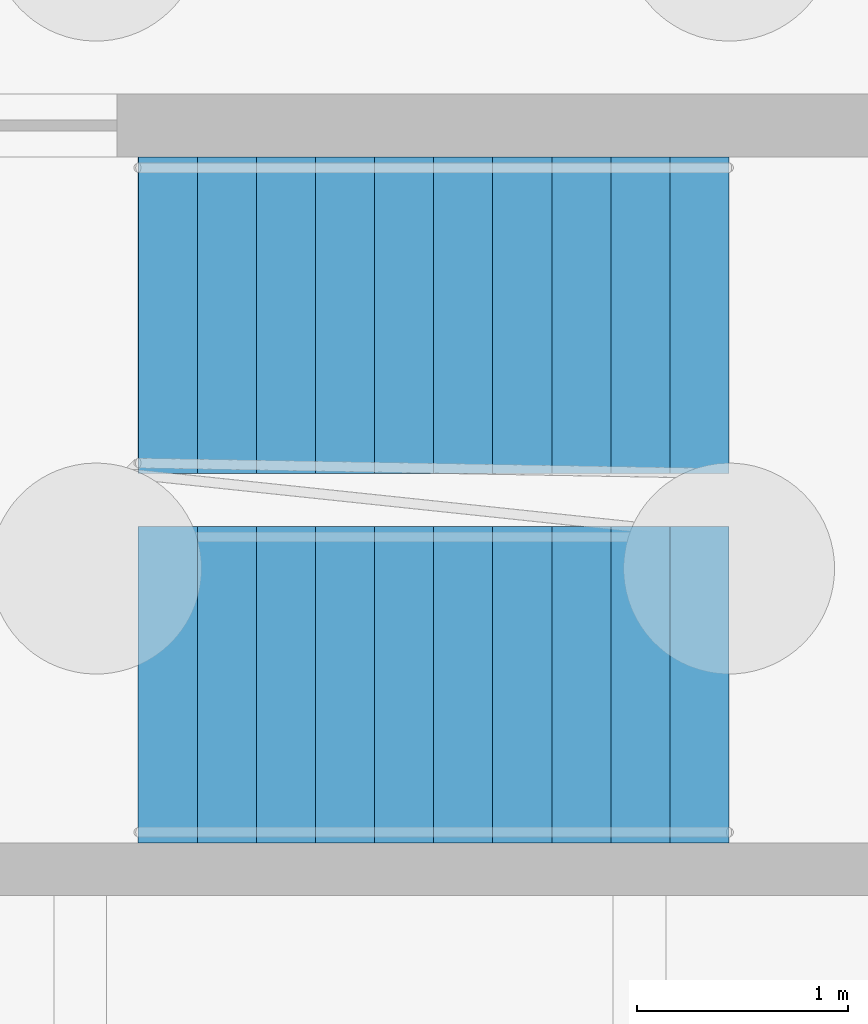
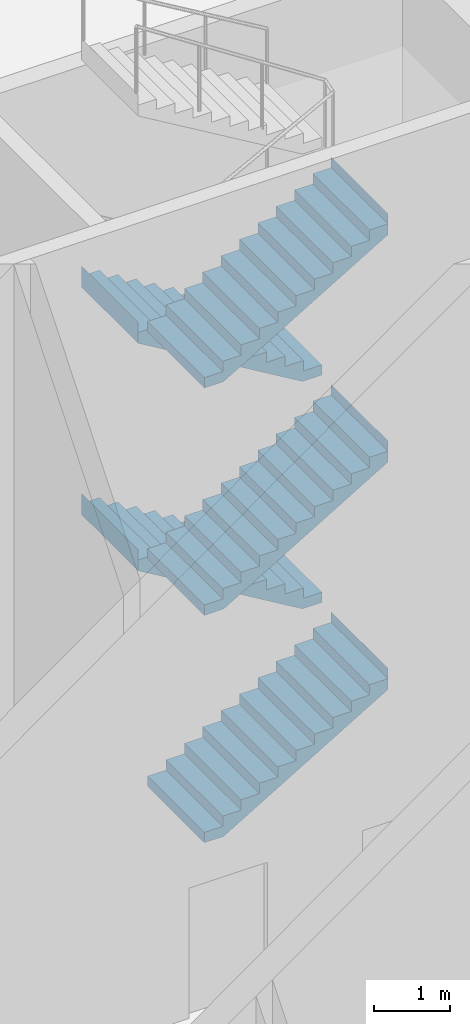
# One storey, part 19 of 26: 5 stair flights, 1 element without a shape of its own.
"""IFC4 building model written with IfcOpenShell, lengths in metres."""

from ifc_helpers import new_model, si_unit, direction, frame, origin, place, context, subcontext, project, spatial, faceted_brep, material, type_object, element, aggregate, save


model = new_model("IFC4")

# Units and contexts
model_context = context("Model", 3, precision=1e-05, world=origin(), true_north=direction((0.0, 1.0)))
body_context = subcontext(model_context, "Body", "Model", "MODEL_VIEW")
ifc_project = project(units=[si_unit("LENGTHUNIT", "METRE"), si_unit("AREAUNIT", "SQUARE_METRE"), si_unit("VOLUMEUNIT", "CUBIC_METRE"), si_unit("PLANEANGLEUNIT", "RADIAN"), si_unit("MASSUNIT", "GRAM", prefix="KILO")], contexts=[model_context])

# Site, building, storey
site_placement = place(None, origin())
site = spatial("IfcSite", under=ifc_project, at=site_placement, CompositionType="ELEMENT")
building_placement = place(site_placement, origin())
building = spatial("IfcBuilding", under=site, at=building_placement, Name="Kajstack Hotel Tower", CompositionType="ELEMENT")
storey_placement = place(building_placement, origin())
storey = spatial("IfcBuildingStorey", under=building, at=storey_placement, Name="L00", CompositionType="ELEMENT", Elevation=0.0)

# Stair, stair flights
ifc_material = material(Name="Concrete C40/50", Category="concrete")
stair_type = type_object("IfcStairType", Name="Exit stair 1500", PredefinedType="HALF_TURN_STAIR", material=ifc_material)
stair_placement = place(storey_placement, origin())
stair = element("IfcStair", 1, at=stair_placement, inside=storey, type_object=stair_type, Name="L00 stair E3", PredefinedType="HALF_TURN_STAIR")
stair_flight_type = type_object("IfcStairFlightType", Name="Exit stair flight 1500", PredefinedType="STRAIGHT", material=ifc_material)
stair_flight_1_placement = place(storey_placement, frame((25.699951171875, 12.699951171875, 0.0), z_axis=(0.0, 0.0, 1.0), x_axis=(1.0, 0.0, 0.0)))
stair_flight_1 = element("IfcStairFlight", 2, at=stair_flight_1_placement, type_object=stair_flight_type, Name="E3 flight 1", NumberOfRisers=11, NumberOfTreads=10, PredefinedType="STRAIGHT", RiserHeight=0.166666667, TreadLength=0.28, context=body_context, shape_type="Brep", body=[
    faceted_brep([(0.29345703125, -0.75, 0.0), (2.800537109375, -0.75, 1.4921875), (2.800537109375, -0.75, 1.833251953125), (2.800048828125, -0.75, 1.833251953125), (2.800048828125, -0.75, 1.666748046875), (2.52001953125, -0.75, 1.666748046875), (2.52001953125, -0.75, 1.5), (2.239990234375, -0.75, 1.5), (2.239990234375, -0.75, 1.333251953125), (1.9599609375, -0.75, 1.333251953125), (1.9599609375, -0.75, 1.166748046875), (1.679931640625, -0.75, 1.166748046875), (1.679931640625, -0.75, 1.0), (1.39990234375, -0.75, 1.0), (1.39990234375, -0.75, 0.833251953125), (1.1201171875, -0.75, 0.833251953125), (1.1201171875, -0.75, 0.666748046875), (0.840087890625, -0.75, 0.666748046875), (0.840087890625, -0.75, 0.5), (0.56005859375, -0.75, 0.5), (0.56005859375, -0.75, 0.333251953125), (0.280029296875, -0.75, 0.333251953125), (0.280029296875, -0.75, 0.166748046875), (-0.00048828125, -0.75, 0.166748046875), (-0.00048828125, -0.75, 0.0), (-0.00048828125, 0.75, 0.0), (-0.00048828125, 0.75, 0.166748046875), (0.280029296875, 0.75, 0.166748046875), (0.280029296875, 0.75, 0.333251953125), (0.56005859375, 0.75, 0.333251953125), (0.56005859375, 0.75, 0.5), (0.840087890625, 0.75, 0.5), (0.840087890625, 0.75, 0.666748046875), (1.1201171875, 0.75, 0.666748046875), (1.1201171875, 0.75, 0.833251953125), (1.39990234375, 0.75, 0.833251953125), (1.39990234375, 0.75, 1.0), (1.679931640625, 0.75, 1.0), (1.679931640625, 0.75, 1.166748046875), (1.9599609375, 0.75, 1.166748046875), (1.9599609375, 0.75, 1.333251953125), (2.239990234375, 0.75, 1.333251953125), (2.239990234375, 0.75, 1.5), (2.52001953125, 0.75, 1.5), (2.52001953125, 0.75, 1.666748046875), (2.800048828125, 0.75, 1.666748046875), (2.800048828125, 0.75, 1.833251953125), (2.800537109375, 0.75, 1.833251953125), (2.800537109375, 0.75, 1.4921875), (0.29345703125, 0.75, 0.0), (-0.00048828125, -0.375, 0.166748046875), (-0.00048828125, 0.0, 0.166748046875), (-0.00048828125, 0.375, 0.166748046875), (-0.00048828125, 0.375, 0.0), (-0.00048828125, 0.0, 0.0), (-0.00048828125, -0.375, 0.0), (0.280029296875, -0.375, 0.166748046875), (0.280029296875, 0.0, 0.166748046875), (0.280029296875, 0.375, 0.166748046875), (0.280029296875, -0.375, 0.333251953125), (0.280029296875, 0.0, 0.333251953125), (0.280029296875, 0.375, 0.333251953125), (0.56005859375, -0.375, 0.333251953125), (0.56005859375, 0.0, 0.333251953125), (0.56005859375, 0.375, 0.333251953125), (0.56005859375, -0.375, 0.5), (0.56005859375, 0.0, 0.5), (0.56005859375, 0.375, 0.5), (0.840087890625, -0.375, 0.5), (0.840087890625, 0.0, 0.5), (0.840087890625, 0.375, 0.5), (0.840087890625, -0.375, 0.666748046875), (0.840087890625, 0.0, 0.666748046875), (0.840087890625, 0.375, 0.666748046875), (1.1201171875, -0.375, 0.666748046875), (1.1201171875, 0.0, 0.666748046875), (1.1201171875, 0.375, 0.666748046875), (1.1201171875, -0.375, 0.833251953125), (1.1201171875, 0.0, 0.833251953125), (1.1201171875, 0.375, 0.833251953125), (1.39990234375, -0.375, 0.833251953125), (1.39990234375, 0.0, 0.833251953125), (1.39990234375, 0.375, 0.833251953125), (1.39990234375, -0.375, 1.0), (1.39990234375, 0.0, 1.0), (1.39990234375, 0.375, 1.0), (1.679931640625, -0.375, 1.0), (1.679931640625, 0.0, 1.0), (1.679931640625, 0.375, 1.0), (1.679931640625, -0.375, 1.166748046875), (1.679931640625, 0.0, 1.166748046875), (1.679931640625, 0.375, 1.166748046875), (1.9599609375, -0.375, 1.166748046875), (1.9599609375, 0.0, 1.166748046875), (1.9599609375, 0.375, 1.166748046875), (1.9599609375, -0.375, 1.333251953125), (1.9599609375, 0.0, 1.333251953125), (1.9599609375, 0.375, 1.333251953125), (2.239990234375, -0.375, 1.333251953125), (2.239990234375, 0.0, 1.333251953125), (2.239990234375, 0.375, 1.333251953125), (2.239990234375, -0.375, 1.5), (2.239990234375, 0.0, 1.5), (2.239990234375, 0.375, 1.5), (2.52001953125, -0.375, 1.5), (2.52001953125, 0.0, 1.5), (2.52001953125, 0.375, 1.5), (2.52001953125, -0.375, 1.666748046875), (2.52001953125, 0.0, 1.666748046875), (2.52001953125, 0.375, 1.666748046875), (2.800048828125, -0.375, 1.666748046875), (2.800048828125, 0.0, 1.666748046875), (2.800048828125, 0.375, 1.666748046875), (2.800048828125, -0.375, 1.833251953125), (2.800048828125, 0.0, 1.833251953125), (2.800048828125, 0.375, 1.833251953125), (2.800537109375, -0.375, 1.833251953125), (2.800537109375, 0.0, 1.833251953125), (2.800537109375, 0.375, 1.833251953125), (2.800537109375, -0.375, 1.4921875), (2.800537109375, 0.0, 1.4921875), (2.800537109375, 0.375, 1.4921875), (0.29345703125, -0.375, 0.0), (0.29345703125, 0.0, 0.0), (0.29345703125, 0.375, 0.0)], [[[0, 1, 2, 3, 4, 5, 6, 7, 8, 9, 10, 11, 12, 13, 14, 15, 16, 17, 18, 19, 20, 21, 22, 23, 24]], [[25, 26, 27, 28, 29, 30, 31, 32, 33, 34, 35, 36, 37, 38, 39, 40, 41, 42, 43, 44, 45, 46, 47, 48, 49]], [[23, 50, 51, 52, 26, 25, 53, 54, 55, 24]], [[22, 56, 57, 58, 27, 26, 52, 51, 50, 23]], [[21, 59, 60, 61, 28, 27, 58, 57, 56, 22]], [[20, 62, 63, 64, 29, 28, 61, 60, 59, 21]], [[19, 65, 66, 67, 30, 29, 64, 63, 62, 20]], [[18, 68, 69, 70, 31, 30, 67, 66, 65, 19]], [[17, 71, 72, 73, 32, 31, 70, 69, 68, 18]], [[16, 74, 75, 76, 33, 32, 73, 72, 71, 17]], [[15, 77, 78, 79, 34, 33, 76, 75, 74, 16]], [[14, 80, 81, 82, 35, 34, 79, 78, 77, 15]], [[13, 83, 84, 85, 36, 35, 82, 81, 80, 14]], [[12, 86, 87, 88, 37, 36, 85, 84, 83, 13]], [[11, 89, 90, 91, 38, 37, 88, 87, 86, 12]], [[10, 92, 93, 94, 39, 38, 91, 90, 89, 11]], [[9, 95, 96, 97, 40, 39, 94, 93, 92, 10]], [[8, 98, 99, 100, 41, 40, 97, 96, 95, 9]], [[7, 101, 102, 103, 42, 41, 100, 99, 98, 8]], [[6, 104, 105, 106, 43, 42, 103, 102, 101, 7]], [[5, 107, 108, 109, 44, 43, 106, 105, 104, 6]], [[4, 110, 111, 112, 45, 44, 109, 108, 107, 5]], [[3, 113, 114, 115, 46, 45, 112, 111, 110, 4]], [[2, 116, 117, 118, 47, 46, 115, 114, 113, 3]], [[1, 119, 120, 121, 48, 47, 118, 117, 116, 2]], [[0, 122, 123, 124, 49, 48, 121, 120, 119, 1]], [[24, 55, 54, 53, 25, 49, 124, 123, 122, 0]]]),
])
stair_flight_2_placement = place(storey_placement, frame((28.5, 14.449951171875, 1.833251953125), z_axis=(0.0, 0.0, 1.0), x_axis=(-1.0, 0.0, 0.0)))
stair_flight_2 = element("IfcStairFlight", 3, at=stair_flight_2_placement, type_object=stair_flight_type, Name="E3 flight 2", NumberOfRisers=11, NumberOfTreads=10, PredefinedType="STRAIGHT", RiserHeight=0.166666667, TreadLength=0.28, context=body_context, shape_type="Brep", body=[
    faceted_brep([(0.29345703125, -0.75, 0.0), (2.800537109375, -0.75, 1.4921875), (2.800537109375, -0.75, 1.833251953125), (2.800048828125, -0.75, 1.833251953125), (2.800048828125, -0.75, 1.666748046875), (2.52001953125, -0.75, 1.666748046875), (2.52001953125, -0.75, 1.5), (2.239990234375, -0.75, 1.5), (2.239990234375, -0.75, 1.333251953125), (1.9599609375, -0.75, 1.333251953125), (1.9599609375, -0.75, 1.166748046875), (1.679931640625, -0.75, 1.166748046875), (1.679931640625, -0.75, 1.0), (1.39990234375, -0.75, 1.0), (1.39990234375, -0.75, 0.833251953125), (1.1201171875, -0.75, 0.833251953125), (1.1201171875, -0.75, 0.666748046875), (0.840087890625, -0.75, 0.666748046875), (0.840087890625, -0.75, 0.5), (0.56005859375, -0.75, 0.5), (0.56005859375, -0.75, 0.333251953125), (0.280029296875, -0.75, 0.333251953125), (0.280029296875, -0.75, 0.166748046875), (-0.00048828125, -0.75, 0.166748046875), (-0.00048828125, -0.75, 0.0), (-0.00048828125, 0.75, 0.0), (-0.00048828125, 0.75, 0.166748046875), (0.280029296875, 0.75, 0.166748046875), (0.280029296875, 0.75, 0.333251953125), (0.56005859375, 0.75, 0.333251953125), (0.56005859375, 0.75, 0.5), (0.840087890625, 0.75, 0.5), (0.840087890625, 0.75, 0.666748046875), (1.1201171875, 0.75, 0.666748046875), (1.1201171875, 0.75, 0.833251953125), (1.39990234375, 0.75, 0.833251953125), (1.39990234375, 0.75, 1.0), (1.679931640625, 0.75, 1.0), (1.679931640625, 0.75, 1.166748046875), (1.9599609375, 0.75, 1.166748046875), (1.9599609375, 0.75, 1.333251953125), (2.239990234375, 0.75, 1.333251953125), (2.239990234375, 0.75, 1.5), (2.52001953125, 0.75, 1.5), (2.52001953125, 0.75, 1.666748046875), (2.800048828125, 0.75, 1.666748046875), (2.800048828125, 0.75, 1.833251953125), (2.800537109375, 0.75, 1.833251953125), (2.800537109375, 0.75, 1.4921875), (0.29345703125, 0.75, 0.0), (-0.00048828125, -0.375, 0.166748046875), (-0.00048828125, 0.0, 0.166748046875), (-0.00048828125, 0.375, 0.166748046875), (-0.00048828125, 0.375, 0.0), (-0.00048828125, 0.0, 0.0), (-0.00048828125, -0.375, 0.0), (0.280029296875, -0.375, 0.166748046875), (0.280029296875, 0.0, 0.166748046875), (0.280029296875, 0.375, 0.166748046875), (0.280029296875, -0.375, 0.333251953125), (0.280029296875, 0.0, 0.333251953125), (0.280029296875, 0.375, 0.333251953125), (0.56005859375, -0.375, 0.333251953125), (0.56005859375, 0.0, 0.333251953125), (0.56005859375, 0.375, 0.333251953125), (0.56005859375, -0.375, 0.5), (0.56005859375, 0.0, 0.5), (0.56005859375, 0.375, 0.5), (0.840087890625, -0.375, 0.5), (0.840087890625, 0.0, 0.5), (0.840087890625, 0.375, 0.5), (0.840087890625, -0.375, 0.666748046875), (0.840087890625, 0.0, 0.666748046875), (0.840087890625, 0.375, 0.666748046875), (1.1201171875, -0.375, 0.666748046875), (1.1201171875, 0.0, 0.666748046875), (1.1201171875, 0.375, 0.666748046875), (1.1201171875, -0.375, 0.833251953125), (1.1201171875, 0.0, 0.833251953125), (1.1201171875, 0.375, 0.833251953125), (1.39990234375, -0.375, 0.833251953125), (1.39990234375, 0.0, 0.833251953125), (1.39990234375, 0.375, 0.833251953125), (1.39990234375, -0.375, 1.0), (1.39990234375, 0.0, 1.0), (1.39990234375, 0.375, 1.0), (1.679931640625, -0.375, 1.0), (1.679931640625, 0.0, 1.0), (1.679931640625, 0.375, 1.0), (1.679931640625, -0.375, 1.166748046875), (1.679931640625, 0.0, 1.166748046875), (1.679931640625, 0.375, 1.166748046875), (1.9599609375, -0.375, 1.166748046875), (1.9599609375, 0.0, 1.166748046875), (1.9599609375, 0.375, 1.166748046875), (1.9599609375, -0.375, 1.333251953125), (1.9599609375, 0.0, 1.333251953125), (1.9599609375, 0.375, 1.333251953125), (2.239990234375, -0.375, 1.333251953125), (2.239990234375, 0.0, 1.333251953125), (2.239990234375, 0.375, 1.333251953125), (2.239990234375, -0.375, 1.5), (2.239990234375, 0.0, 1.5), (2.239990234375, 0.375, 1.5), (2.52001953125, -0.375, 1.5), (2.52001953125, 0.0, 1.5), (2.52001953125, 0.375, 1.5), (2.52001953125, -0.375, 1.666748046875), (2.52001953125, 0.0, 1.666748046875), (2.52001953125, 0.375, 1.666748046875), (2.800048828125, -0.375, 1.666748046875), (2.800048828125, 0.0, 1.666748046875), (2.800048828125, 0.375, 1.666748046875), (2.800048828125, -0.375, 1.833251953125), (2.800048828125, 0.0, 1.833251953125), (2.800048828125, 0.375, 1.833251953125), (2.800537109375, -0.375, 1.833251953125), (2.800537109375, 0.0, 1.833251953125), (2.800537109375, 0.375, 1.833251953125), (2.800537109375, -0.375, 1.4921875), (2.800537109375, 0.0, 1.4921875), (2.800537109375, 0.375, 1.4921875), (0.29345703125, -0.375, 0.0), (0.29345703125, 0.0, 0.0), (0.29345703125, 0.375, 0.0)], [[[0, 1, 2, 3, 4, 5, 6, 7, 8, 9, 10, 11, 12, 13, 14, 15, 16, 17, 18, 19, 20, 21, 22, 23, 24]], [[25, 26, 27, 28, 29, 30, 31, 32, 33, 34, 35, 36, 37, 38, 39, 40, 41, 42, 43, 44, 45, 46, 47, 48, 49]], [[23, 50, 51, 52, 26, 25, 53, 54, 55, 24]], [[22, 56, 57, 58, 27, 26, 52, 51, 50, 23]], [[21, 59, 60, 61, 28, 27, 58, 57, 56, 22]], [[20, 62, 63, 64, 29, 28, 61, 60, 59, 21]], [[19, 65, 66, 67, 30, 29, 64, 63, 62, 20]], [[18, 68, 69, 70, 31, 30, 67, 66, 65, 19]], [[17, 71, 72, 73, 32, 31, 70, 69, 68, 18]], [[16, 74, 75, 76, 33, 32, 73, 72, 71, 17]], [[15, 77, 78, 79, 34, 33, 76, 75, 74, 16]], [[14, 80, 81, 82, 35, 34, 79, 78, 77, 15]], [[13, 83, 84, 85, 36, 35, 82, 81, 80, 14]], [[12, 86, 87, 88, 37, 36, 85, 84, 83, 13]], [[11, 89, 90, 91, 38, 37, 88, 87, 86, 12]], [[10, 92, 93, 94, 39, 38, 91, 90, 89, 11]], [[9, 95, 96, 97, 40, 39, 94, 93, 92, 10]], [[8, 98, 99, 100, 41, 40, 97, 96, 95, 9]], [[7, 101, 102, 103, 42, 41, 100, 99, 98, 8]], [[6, 104, 105, 106, 43, 42, 103, 102, 101, 7]], [[5, 107, 108, 109, 44, 43, 106, 105, 104, 6]], [[4, 110, 111, 112, 45, 44, 109, 108, 107, 5]], [[3, 113, 114, 115, 46, 45, 112, 111, 110, 4]], [[2, 116, 117, 118, 47, 46, 115, 114, 113, 3]], [[1, 119, 120, 121, 48, 47, 118, 117, 116, 2]], [[0, 122, 123, 124, 49, 48, 121, 120, 119, 1]], [[24, 55, 54, 53, 25, 49, 124, 123, 122, 0]]]),
])
stair_flight_3_placement = place(storey_placement, frame((25.699951171875, 12.699951171875, 3.666748046875), z_axis=(0.0, 0.0, 1.0), x_axis=(1.0, 0.0, 0.0)))
stair_flight_3 = element("IfcStairFlight", 4, at=stair_flight_3_placement, type_object=stair_flight_type, Name="E3 flight 3", NumberOfRisers=11, NumberOfTreads=10, PredefinedType="STRAIGHT", RiserHeight=0.166666667, TreadLength=0.28, context=body_context, shape_type="Brep", body=[
    faceted_brep([(0.29345703125, -0.75, 0.0), (2.800537109375, -0.75, 1.4921875), (2.800537109375, -0.75, 1.833251953125), (2.800048828125, -0.75, 1.833251953125), (2.800048828125, -0.75, 1.666748046875), (2.52001953125, -0.75, 1.666748046875), (2.52001953125, -0.75, 1.5), (2.239990234375, -0.75, 1.5), (2.239990234375, -0.75, 1.333251953125), (1.9599609375, -0.75, 1.333251953125), (1.9599609375, -0.75, 1.166748046875), (1.679931640625, -0.75, 1.166748046875), (1.679931640625, -0.75, 1.0), (1.39990234375, -0.75, 1.0), (1.39990234375, -0.75, 0.833251953125), (1.1201171875, -0.75, 0.833251953125), (1.1201171875, -0.75, 0.666748046875), (0.840087890625, -0.75, 0.666748046875), (0.840087890625, -0.75, 0.5), (0.56005859375, -0.75, 0.5), (0.56005859375, -0.75, 0.333251953125), (0.280029296875, -0.75, 0.333251953125), (0.280029296875, -0.75, 0.166748046875), (-0.00048828125, -0.75, 0.166748046875), (-0.00048828125, -0.75, 0.0), (-0.00048828125, 0.75, 0.0), (-0.00048828125, 0.75, 0.166748046875), (0.280029296875, 0.75, 0.166748046875), (0.280029296875, 0.75, 0.333251953125), (0.56005859375, 0.75, 0.333251953125), (0.56005859375, 0.75, 0.5), (0.840087890625, 0.75, 0.5), (0.840087890625, 0.75, 0.666748046875), (1.1201171875, 0.75, 0.666748046875), (1.1201171875, 0.75, 0.833251953125), (1.39990234375, 0.75, 0.833251953125), (1.39990234375, 0.75, 1.0), (1.679931640625, 0.75, 1.0), (1.679931640625, 0.75, 1.166748046875), (1.9599609375, 0.75, 1.166748046875), (1.9599609375, 0.75, 1.333251953125), (2.239990234375, 0.75, 1.333251953125), (2.239990234375, 0.75, 1.5), (2.52001953125, 0.75, 1.5), (2.52001953125, 0.75, 1.666748046875), (2.800048828125, 0.75, 1.666748046875), (2.800048828125, 0.75, 1.833251953125), (2.800537109375, 0.75, 1.833251953125), (2.800537109375, 0.75, 1.4921875), (0.29345703125, 0.75, 0.0), (-0.00048828125, -0.375, 0.166748046875), (-0.00048828125, 0.0, 0.166748046875), (-0.00048828125, 0.375, 0.166748046875), (-0.00048828125, 0.375, 0.0), (-0.00048828125, 0.0, 0.0), (-0.00048828125, -0.375, 0.0), (0.280029296875, -0.375, 0.166748046875), (0.280029296875, 0.0, 0.166748046875), (0.280029296875, 0.375, 0.166748046875), (0.280029296875, -0.375, 0.333251953125), (0.280029296875, 0.0, 0.333251953125), (0.280029296875, 0.375, 0.333251953125), (0.56005859375, -0.375, 0.333251953125), (0.56005859375, 0.0, 0.333251953125), (0.56005859375, 0.375, 0.333251953125), (0.56005859375, -0.375, 0.5), (0.56005859375, 0.0, 0.5), (0.56005859375, 0.375, 0.5), (0.840087890625, -0.375, 0.5), (0.840087890625, 0.0, 0.5), (0.840087890625, 0.375, 0.5), (0.840087890625, -0.375, 0.666748046875), (0.840087890625, 0.0, 0.666748046875), (0.840087890625, 0.375, 0.666748046875), (1.1201171875, -0.375, 0.666748046875), (1.1201171875, 0.0, 0.666748046875), (1.1201171875, 0.375, 0.666748046875), (1.1201171875, -0.375, 0.833251953125), (1.1201171875, 0.0, 0.833251953125), (1.1201171875, 0.375, 0.833251953125), (1.39990234375, -0.375, 0.833251953125), (1.39990234375, 0.0, 0.833251953125), (1.39990234375, 0.375, 0.833251953125), (1.39990234375, -0.375, 1.0), (1.39990234375, 0.0, 1.0), (1.39990234375, 0.375, 1.0), (1.679931640625, -0.375, 1.0), (1.679931640625, 0.0, 1.0), (1.679931640625, 0.375, 1.0), (1.679931640625, -0.375, 1.166748046875), (1.679931640625, 0.0, 1.166748046875), (1.679931640625, 0.375, 1.166748046875), (1.9599609375, -0.375, 1.166748046875), (1.9599609375, 0.0, 1.166748046875), (1.9599609375, 0.375, 1.166748046875), (1.9599609375, -0.375, 1.333251953125), (1.9599609375, 0.0, 1.333251953125), (1.9599609375, 0.375, 1.333251953125), (2.239990234375, -0.375, 1.333251953125), (2.239990234375, 0.0, 1.333251953125), (2.239990234375, 0.375, 1.333251953125), (2.239990234375, -0.375, 1.5), (2.239990234375, 0.0, 1.5), (2.239990234375, 0.375, 1.5), (2.52001953125, -0.375, 1.5), (2.52001953125, 0.0, 1.5), (2.52001953125, 0.375, 1.5), (2.52001953125, -0.375, 1.666748046875), (2.52001953125, 0.0, 1.666748046875), (2.52001953125, 0.375, 1.666748046875), (2.800048828125, -0.375, 1.666748046875), (2.800048828125, 0.0, 1.666748046875), (2.800048828125, 0.375, 1.666748046875), (2.800048828125, -0.375, 1.833251953125), (2.800048828125, 0.0, 1.833251953125), (2.800048828125, 0.375, 1.833251953125), (2.800537109375, -0.375, 1.833251953125), (2.800537109375, 0.0, 1.833251953125), (2.800537109375, 0.375, 1.833251953125), (2.800537109375, -0.375, 1.4921875), (2.800537109375, 0.0, 1.4921875), (2.800537109375, 0.375, 1.4921875), (0.29345703125, -0.375, 0.0), (0.29345703125, 0.0, 0.0), (0.29345703125, 0.375, 0.0)], [[[0, 1, 2, 3, 4, 5, 6, 7, 8, 9, 10, 11, 12, 13, 14, 15, 16, 17, 18, 19, 20, 21, 22, 23, 24]], [[25, 26, 27, 28, 29, 30, 31, 32, 33, 34, 35, 36, 37, 38, 39, 40, 41, 42, 43, 44, 45, 46, 47, 48, 49]], [[23, 50, 51, 52, 26, 25, 53, 54, 55, 24]], [[22, 56, 57, 58, 27, 26, 52, 51, 50, 23]], [[21, 59, 60, 61, 28, 27, 58, 57, 56, 22]], [[20, 62, 63, 64, 29, 28, 61, 60, 59, 21]], [[19, 65, 66, 67, 30, 29, 64, 63, 62, 20]], [[18, 68, 69, 70, 31, 30, 67, 66, 65, 19]], [[17, 71, 72, 73, 32, 31, 70, 69, 68, 18]], [[16, 74, 75, 76, 33, 32, 73, 72, 71, 17]], [[15, 77, 78, 79, 34, 33, 76, 75, 74, 16]], [[14, 80, 81, 82, 35, 34, 79, 78, 77, 15]], [[13, 83, 84, 85, 36, 35, 82, 81, 80, 14]], [[12, 86, 87, 88, 37, 36, 85, 84, 83, 13]], [[11, 89, 90, 91, 38, 37, 88, 87, 86, 12]], [[10, 92, 93, 94, 39, 38, 91, 90, 89, 11]], [[9, 95, 96, 97, 40, 39, 94, 93, 92, 10]], [[8, 98, 99, 100, 41, 40, 97, 96, 95, 9]], [[7, 101, 102, 103, 42, 41, 100, 99, 98, 8]], [[6, 104, 105, 106, 43, 42, 103, 102, 101, 7]], [[5, 107, 108, 109, 44, 43, 106, 105, 104, 6]], [[4, 110, 111, 112, 45, 44, 109, 108, 107, 5]], [[3, 113, 114, 115, 46, 45, 112, 111, 110, 4]], [[2, 116, 117, 118, 47, 46, 115, 114, 113, 3]], [[1, 119, 120, 121, 48, 47, 118, 117, 116, 2]], [[0, 122, 123, 124, 49, 48, 121, 120, 119, 1]], [[24, 55, 54, 53, 25, 49, 124, 123, 122, 0]]]),
])
stair_flight_4_placement = place(storey_placement, frame((28.5, 14.449951171875, 5.5), z_axis=(0.0, 0.0, 1.0), x_axis=(-1.0, 0.0, 0.0)))
stair_flight_4 = element("IfcStairFlight", 5, at=stair_flight_4_placement, type_object=stair_flight_type, Name="E3 flight 4", NumberOfRisers=11, NumberOfTreads=10, PredefinedType="STRAIGHT", RiserHeight=0.166666667, TreadLength=0.28, context=body_context, shape_type="Brep", body=[
    faceted_brep([(0.29345703125, -0.75, 0.0), (2.800537109375, -0.75, 1.4921875), (2.800537109375, -0.75, 1.833251953125), (2.800048828125, -0.75, 1.833251953125), (2.800048828125, -0.75, 1.666748046875), (2.52001953125, -0.75, 1.666748046875), (2.52001953125, -0.75, 1.5), (2.239990234375, -0.75, 1.5), (2.239990234375, -0.75, 1.333251953125), (1.9599609375, -0.75, 1.333251953125), (1.9599609375, -0.75, 1.166748046875), (1.679931640625, -0.75, 1.166748046875), (1.679931640625, -0.75, 1.0), (1.39990234375, -0.75, 1.0), (1.39990234375, -0.75, 0.833251953125), (1.1201171875, -0.75, 0.833251953125), (1.1201171875, -0.75, 0.666748046875), (0.840087890625, -0.75, 0.666748046875), (0.840087890625, -0.75, 0.5), (0.56005859375, -0.75, 0.5), (0.56005859375, -0.75, 0.333251953125), (0.280029296875, -0.75, 0.333251953125), (0.280029296875, -0.75, 0.166748046875), (-0.00048828125, -0.75, 0.166748046875), (-0.00048828125, -0.75, 0.0), (-0.00048828125, 0.75, 0.0), (-0.00048828125, 0.75, 0.166748046875), (0.280029296875, 0.75, 0.166748046875), (0.280029296875, 0.75, 0.333251953125), (0.56005859375, 0.75, 0.333251953125), (0.56005859375, 0.75, 0.5), (0.840087890625, 0.75, 0.5), (0.840087890625, 0.75, 0.666748046875), (1.1201171875, 0.75, 0.666748046875), (1.1201171875, 0.75, 0.833251953125), (1.39990234375, 0.75, 0.833251953125), (1.39990234375, 0.75, 1.0), (1.679931640625, 0.75, 1.0), (1.679931640625, 0.75, 1.166748046875), (1.9599609375, 0.75, 1.166748046875), (1.9599609375, 0.75, 1.333251953125), (2.239990234375, 0.75, 1.333251953125), (2.239990234375, 0.75, 1.5), (2.52001953125, 0.75, 1.5), (2.52001953125, 0.75, 1.666748046875), (2.800048828125, 0.75, 1.666748046875), (2.800048828125, 0.75, 1.833251953125), (2.800537109375, 0.75, 1.833251953125), (2.800537109375, 0.75, 1.4921875), (0.29345703125, 0.75, 0.0), (-0.00048828125, -0.375, 0.166748046875), (-0.00048828125, 0.0, 0.166748046875), (-0.00048828125, 0.375, 0.166748046875), (-0.00048828125, 0.375, 0.0), (-0.00048828125, 0.0, 0.0), (-0.00048828125, -0.375, 0.0), (0.280029296875, -0.375, 0.166748046875), (0.280029296875, 0.0, 0.166748046875), (0.280029296875, 0.375, 0.166748046875), (0.280029296875, -0.375, 0.333251953125), (0.280029296875, 0.0, 0.333251953125), (0.280029296875, 0.375, 0.333251953125), (0.56005859375, -0.375, 0.333251953125), (0.56005859375, 0.0, 0.333251953125), (0.56005859375, 0.375, 0.333251953125), (0.56005859375, -0.375, 0.5), (0.56005859375, 0.0, 0.5), (0.56005859375, 0.375, 0.5), (0.840087890625, -0.375, 0.5), (0.840087890625, 0.0, 0.5), (0.840087890625, 0.375, 0.5), (0.840087890625, -0.375, 0.666748046875), (0.840087890625, 0.0, 0.666748046875), (0.840087890625, 0.375, 0.666748046875), (1.1201171875, -0.375, 0.666748046875), (1.1201171875, 0.0, 0.666748046875), (1.1201171875, 0.375, 0.666748046875), (1.1201171875, -0.375, 0.833251953125), (1.1201171875, 0.0, 0.833251953125), (1.1201171875, 0.375, 0.833251953125), (1.39990234375, -0.375, 0.833251953125), (1.39990234375, 0.0, 0.833251953125), (1.39990234375, 0.375, 0.833251953125), (1.39990234375, -0.375, 1.0), (1.39990234375, 0.0, 1.0), (1.39990234375, 0.375, 1.0), (1.679931640625, -0.375, 1.0), (1.679931640625, 0.0, 1.0), (1.679931640625, 0.375, 1.0), (1.679931640625, -0.375, 1.166748046875), (1.679931640625, 0.0, 1.166748046875), (1.679931640625, 0.375, 1.166748046875), (1.9599609375, -0.375, 1.166748046875), (1.9599609375, 0.0, 1.166748046875), (1.9599609375, 0.375, 1.166748046875), (1.9599609375, -0.375, 1.333251953125), (1.9599609375, 0.0, 1.333251953125), (1.9599609375, 0.375, 1.333251953125), (2.239990234375, -0.375, 1.333251953125), (2.239990234375, 0.0, 1.333251953125), (2.239990234375, 0.375, 1.333251953125), (2.239990234375, -0.375, 1.5), (2.239990234375, 0.0, 1.5), (2.239990234375, 0.375, 1.5), (2.52001953125, -0.375, 1.5), (2.52001953125, 0.0, 1.5), (2.52001953125, 0.375, 1.5), (2.52001953125, -0.375, 1.666748046875), (2.52001953125, 0.0, 1.666748046875), (2.52001953125, 0.375, 1.666748046875), (2.800048828125, -0.375, 1.666748046875), (2.800048828125, 0.0, 1.666748046875), (2.800048828125, 0.375, 1.666748046875), (2.800048828125, -0.375, 1.833251953125), (2.800048828125, 0.0, 1.833251953125), (2.800048828125, 0.375, 1.833251953125), (2.800537109375, -0.375, 1.833251953125), (2.800537109375, 0.0, 1.833251953125), (2.800537109375, 0.375, 1.833251953125), (2.800537109375, -0.375, 1.4921875), (2.800537109375, 0.0, 1.4921875), (2.800537109375, 0.375, 1.4921875), (0.29345703125, -0.375, 0.0), (0.29345703125, 0.0, 0.0), (0.29345703125, 0.375, 0.0)], [[[0, 1, 2, 3, 4, 5, 6, 7, 8, 9, 10, 11, 12, 13, 14, 15, 16, 17, 18, 19, 20, 21, 22, 23, 24]], [[25, 26, 27, 28, 29, 30, 31, 32, 33, 34, 35, 36, 37, 38, 39, 40, 41, 42, 43, 44, 45, 46, 47, 48, 49]], [[23, 50, 51, 52, 26, 25, 53, 54, 55, 24]], [[22, 56, 57, 58, 27, 26, 52, 51, 50, 23]], [[21, 59, 60, 61, 28, 27, 58, 57, 56, 22]], [[20, 62, 63, 64, 29, 28, 61, 60, 59, 21]], [[19, 65, 66, 67, 30, 29, 64, 63, 62, 20]], [[18, 68, 69, 70, 31, 30, 67, 66, 65, 19]], [[17, 71, 72, 73, 32, 31, 70, 69, 68, 18]], [[16, 74, 75, 76, 33, 32, 73, 72, 71, 17]], [[15, 77, 78, 79, 34, 33, 76, 75, 74, 16]], [[14, 80, 81, 82, 35, 34, 79, 78, 77, 15]], [[13, 83, 84, 85, 36, 35, 82, 81, 80, 14]], [[12, 86, 87, 88, 37, 36, 85, 84, 83, 13]], [[11, 89, 90, 91, 38, 37, 88, 87, 86, 12]], [[10, 92, 93, 94, 39, 38, 91, 90, 89, 11]], [[9, 95, 96, 97, 40, 39, 94, 93, 92, 10]], [[8, 98, 99, 100, 41, 40, 97, 96, 95, 9]], [[7, 101, 102, 103, 42, 41, 100, 99, 98, 8]], [[6, 104, 105, 106, 43, 42, 103, 102, 101, 7]], [[5, 107, 108, 109, 44, 43, 106, 105, 104, 6]], [[4, 110, 111, 112, 45, 44, 109, 108, 107, 5]], [[3, 113, 114, 115, 46, 45, 112, 111, 110, 4]], [[2, 116, 117, 118, 47, 46, 115, 114, 113, 3]], [[1, 119, 120, 121, 48, 47, 118, 117, 116, 2]], [[0, 122, 123, 124, 49, 48, 121, 120, 119, 1]], [[24, 55, 54, 53, 25, 49, 124, 123, 122, 0]]]),
])
stair_flight_5_placement = place(storey_placement, frame((25.699951171875, 12.699951171875, 7.333251953125), z_axis=(0.0, 0.0, 1.0), x_axis=(1.0, 0.0, 0.0)))
stair_flight_5 = element("IfcStairFlight", 6, at=stair_flight_5_placement, type_object=stair_flight_type, Name="E3 flight 5", NumberOfRisers=11, NumberOfTreads=10, PredefinedType="STRAIGHT", RiserHeight=0.166666667, TreadLength=0.28, context=body_context, shape_type="Brep", body=[
    faceted_brep([(0.29345703125, -0.75, 0.0), (2.800537109375, -0.75, 1.4921875), (2.800537109375, -0.75, 1.833251953125), (2.800048828125, -0.75, 1.833251953125), (2.800048828125, -0.75, 1.666748046875), (2.52001953125, -0.75, 1.666748046875), (2.52001953125, -0.75, 1.5), (2.239990234375, -0.75, 1.5), (2.239990234375, -0.75, 1.333251953125), (1.9599609375, -0.75, 1.333251953125), (1.9599609375, -0.75, 1.166748046875), (1.679931640625, -0.75, 1.166748046875), (1.679931640625, -0.75, 1.0), (1.39990234375, -0.75, 1.0), (1.39990234375, -0.75, 0.833251953125), (1.1201171875, -0.75, 0.833251953125), (1.1201171875, -0.75, 0.666748046875), (0.840087890625, -0.75, 0.666748046875), (0.840087890625, -0.75, 0.5), (0.56005859375, -0.75, 0.5), (0.56005859375, -0.75, 0.333251953125), (0.280029296875, -0.75, 0.333251953125), (0.280029296875, -0.75, 0.166748046875), (-0.00048828125, -0.75, 0.166748046875), (-0.00048828125, -0.75, 0.0), (-0.00048828125, 0.75, 0.0), (-0.00048828125, 0.75, 0.166748046875), (0.280029296875, 0.75, 0.166748046875), (0.280029296875, 0.75, 0.333251953125), (0.56005859375, 0.75, 0.333251953125), (0.56005859375, 0.75, 0.5), (0.840087890625, 0.75, 0.5), (0.840087890625, 0.75, 0.666748046875), (1.1201171875, 0.75, 0.666748046875), (1.1201171875, 0.75, 0.833251953125), (1.39990234375, 0.75, 0.833251953125), (1.39990234375, 0.75, 1.0), (1.679931640625, 0.75, 1.0), (1.679931640625, 0.75, 1.166748046875), (1.9599609375, 0.75, 1.166748046875), (1.9599609375, 0.75, 1.333251953125), (2.239990234375, 0.75, 1.333251953125), (2.239990234375, 0.75, 1.5), (2.52001953125, 0.75, 1.5), (2.52001953125, 0.75, 1.666748046875), (2.800048828125, 0.75, 1.666748046875), (2.800048828125, 0.75, 1.833251953125), (2.800537109375, 0.75, 1.833251953125), (2.800537109375, 0.75, 1.4921875), (0.29345703125, 0.75, 0.0), (-0.00048828125, -0.375, 0.166748046875), (-0.00048828125, 0.0, 0.166748046875), (-0.00048828125, 0.375, 0.166748046875), (-0.00048828125, 0.375, 0.0), (-0.00048828125, 0.0, 0.0), (-0.00048828125, -0.375, 0.0), (0.280029296875, -0.375, 0.166748046875), (0.280029296875, 0.0, 0.166748046875), (0.280029296875, 0.375, 0.166748046875), (0.280029296875, -0.375, 0.333251953125), (0.280029296875, 0.0, 0.333251953125), (0.280029296875, 0.375, 0.333251953125), (0.56005859375, -0.375, 0.333251953125), (0.56005859375, 0.0, 0.333251953125), (0.56005859375, 0.375, 0.333251953125), (0.56005859375, -0.375, 0.5), (0.56005859375, 0.0, 0.5), (0.56005859375, 0.375, 0.5), (0.840087890625, -0.375, 0.5), (0.840087890625, 0.0, 0.5), (0.840087890625, 0.375, 0.5), (0.840087890625, -0.375, 0.666748046875), (0.840087890625, 0.0, 0.666748046875), (0.840087890625, 0.375, 0.666748046875), (1.1201171875, -0.375, 0.666748046875), (1.1201171875, 0.0, 0.666748046875), (1.1201171875, 0.375, 0.666748046875), (1.1201171875, -0.375, 0.833251953125), (1.1201171875, 0.0, 0.833251953125), (1.1201171875, 0.375, 0.833251953125), (1.39990234375, -0.375, 0.833251953125), (1.39990234375, 0.0, 0.833251953125), (1.39990234375, 0.375, 0.833251953125), (1.39990234375, -0.375, 1.0), (1.39990234375, 0.0, 1.0), (1.39990234375, 0.375, 1.0), (1.679931640625, -0.375, 1.0), (1.679931640625, 0.0, 1.0), (1.679931640625, 0.375, 1.0), (1.679931640625, -0.375, 1.166748046875), (1.679931640625, 0.0, 1.166748046875), (1.679931640625, 0.375, 1.166748046875), (1.9599609375, -0.375, 1.166748046875), (1.9599609375, 0.0, 1.166748046875), (1.9599609375, 0.375, 1.166748046875), (1.9599609375, -0.375, 1.333251953125), (1.9599609375, 0.0, 1.333251953125), (1.9599609375, 0.375, 1.333251953125), (2.239990234375, -0.375, 1.333251953125), (2.239990234375, 0.0, 1.333251953125), (2.239990234375, 0.375, 1.333251953125), (2.239990234375, -0.375, 1.5), (2.239990234375, 0.0, 1.5), (2.239990234375, 0.375, 1.5), (2.52001953125, -0.375, 1.5), (2.52001953125, 0.0, 1.5), (2.52001953125, 0.375, 1.5), (2.52001953125, -0.375, 1.666748046875), (2.52001953125, 0.0, 1.666748046875), (2.52001953125, 0.375, 1.666748046875), (2.800048828125, -0.375, 1.666748046875), (2.800048828125, 0.0, 1.666748046875), (2.800048828125, 0.375, 1.666748046875), (2.800048828125, -0.375, 1.833251953125), (2.800048828125, 0.0, 1.833251953125), (2.800048828125, 0.375, 1.833251953125), (2.800537109375, -0.375, 1.833251953125), (2.800537109375, 0.0, 1.833251953125), (2.800537109375, 0.375, 1.833251953125), (2.800537109375, -0.375, 1.4921875), (2.800537109375, 0.0, 1.4921875), (2.800537109375, 0.375, 1.4921875), (0.29345703125, -0.375, 0.0), (0.29345703125, 0.0, 0.0), (0.29345703125, 0.375, 0.0)], [[[0, 1, 2, 3, 4, 5, 6, 7, 8, 9, 10, 11, 12, 13, 14, 15, 16, 17, 18, 19, 20, 21, 22, 23, 24]], [[25, 26, 27, 28, 29, 30, 31, 32, 33, 34, 35, 36, 37, 38, 39, 40, 41, 42, 43, 44, 45, 46, 47, 48, 49]], [[23, 50, 51, 52, 26, 25, 53, 54, 55, 24]], [[22, 56, 57, 58, 27, 26, 52, 51, 50, 23]], [[21, 59, 60, 61, 28, 27, 58, 57, 56, 22]], [[20, 62, 63, 64, 29, 28, 61, 60, 59, 21]], [[19, 65, 66, 67, 30, 29, 64, 63, 62, 20]], [[18, 68, 69, 70, 31, 30, 67, 66, 65, 19]], [[17, 71, 72, 73, 32, 31, 70, 69, 68, 18]], [[16, 74, 75, 76, 33, 32, 73, 72, 71, 17]], [[15, 77, 78, 79, 34, 33, 76, 75, 74, 16]], [[14, 80, 81, 82, 35, 34, 79, 78, 77, 15]], [[13, 83, 84, 85, 36, 35, 82, 81, 80, 14]], [[12, 86, 87, 88, 37, 36, 85, 84, 83, 13]], [[11, 89, 90, 91, 38, 37, 88, 87, 86, 12]], [[10, 92, 93, 94, 39, 38, 91, 90, 89, 11]], [[9, 95, 96, 97, 40, 39, 94, 93, 92, 10]], [[8, 98, 99, 100, 41, 40, 97, 96, 95, 9]], [[7, 101, 102, 103, 42, 41, 100, 99, 98, 8]], [[6, 104, 105, 106, 43, 42, 103, 102, 101, 7]], [[5, 107, 108, 109, 44, 43, 106, 105, 104, 6]], [[4, 110, 111, 112, 45, 44, 109, 108, 107, 5]], [[3, 113, 114, 115, 46, 45, 112, 111, 110, 4]], [[2, 116, 117, 118, 47, 46, 115, 114, 113, 3]], [[1, 119, 120, 121, 48, 47, 118, 117, 116, 2]], [[0, 122, 123, 124, 49, 48, 121, 120, 119, 1]], [[24, 55, 54, 53, 25, 49, 124, 123, 122, 0]]]),
])
aggregate(stair, [stair_flight_1, stair_flight_2, stair_flight_3, stair_flight_4, stair_flight_5])

save(model, "model.ifc")
